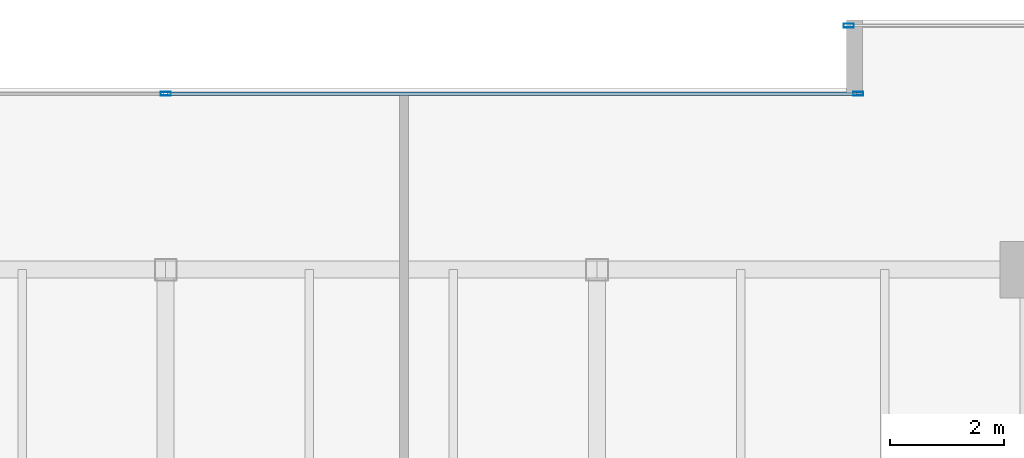
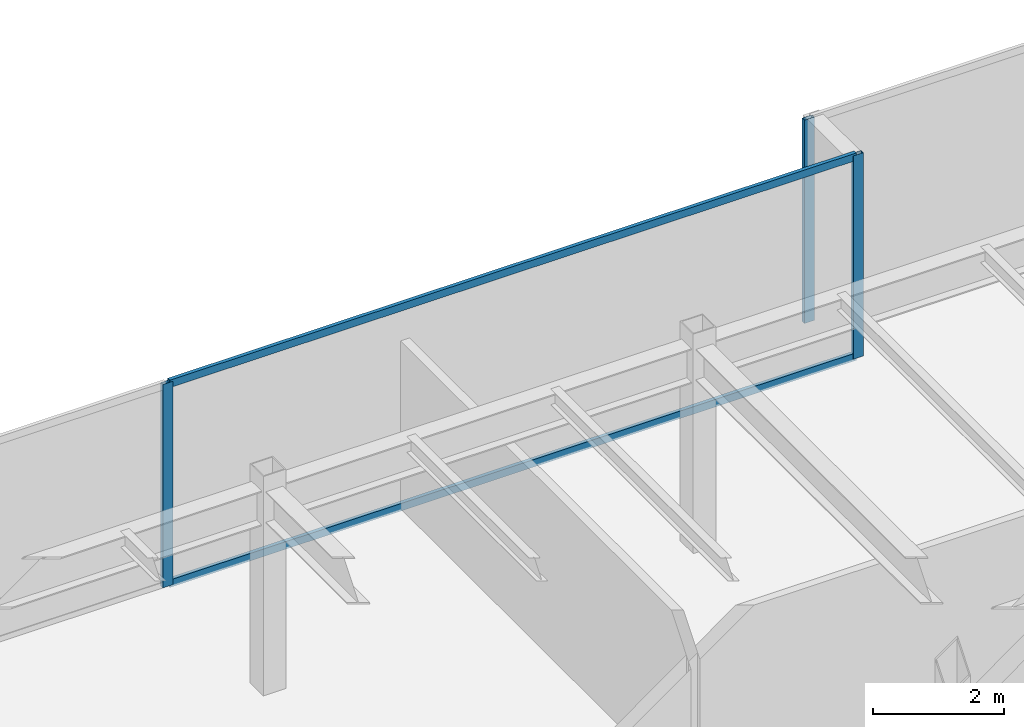
# One storey, part 19 of 33: 5 members, 2 elements without a shape of their own.
"""IFC4 building model written with IfcOpenShell, lengths in metres."""

from ifc_helpers import new_model, si_unit, direction, frame, origin, origin_2d, place, context, subcontext, project, spatial, hollow_rectangle, extrude, source, transform, mapped, material, layer, layer_set, material_profile, profile_set, type_object, type_shapes, element, aggregate, save


model = new_model("IFC4")

# Units and contexts
model_context = context("Model", 3, precision=1e-05, world=origin(), true_north=direction((0.0, 1.0)))
body_context = subcontext(model_context, "Body", "Model", "MODEL_VIEW")
ifc_project = project(units=[si_unit("LENGTHUNIT", "METRE"), si_unit("AREAUNIT", "SQUARE_METRE"), si_unit("VOLUMEUNIT", "CUBIC_METRE"), si_unit("PLANEANGLEUNIT", "RADIAN"), si_unit("MASSUNIT", "GRAM", prefix="KILO")], contexts=[model_context])

# Site, building, storey
site_placement = place(None, origin())
site = spatial("IfcSite", under=ifc_project, at=site_placement, CompositionType="ELEMENT")
building_placement = place(site_placement, origin())
building = spatial("IfcBuilding", under=site, at=building_placement, Name="Haelvirn Gate Laboratories", CompositionType="ELEMENT")
storey_placement = place(building_placement, frame((0.0, 0.0, 217.800048828125)))
storey = spatial("IfcBuildingStorey", under=building, at=storey_placement, Name="L52", CompositionType="ELEMENT", Elevation=217.800048828125)

# Curtain wall, members
ifc_material_1 = material(Name="Anodised bronze unitised aluminium & triple low-E glass", Category="aluminium")
ifc_layer = layer(ifc_material_1, 0.176025390625, Name="CW-SYS-4")
ifc_layer_set = layer_set([ifc_layer], Name="Anodised bronze unitised aluminium & triple low-E glass")
curtain_wall_type = type_object("IfcCurtainWallType", Name="CW-SYS-4", PredefinedType="NOTDEFINED", material=ifc_layer_set)
curtain_wall_1_placement = place(storey_placement, origin())
curtain_wall_1 = element("IfcCurtainWall", 1, at=curtain_wall_1_placement, inside=storey, type_object=curtain_wall_type, Name="L52 Unitised Curtain Wall CW-L52-P0-E12-1", PredefinedType="NOTDEFINED")
ifc_material_2 = material(Name="Extruded aluminium 6063-T6 (anodised bronze)", Category="aluminium")
ifc_material_profile_1 = material_profile(ifc_material_2, hollow_rectangle(XDim=0.06494140625, YDim=0.139892578125, WallThickness=0.00390625, at=origin_2d()), Name="CWT-140x65x4")
ifc_profile_set_1 = profile_set([ifc_material_profile_1], Name="Extruded aluminium 6063-T6 (anodised bronze)")
member_type_1 = type_object("IfcMemberType", Name="CWT-T140", PredefinedType="USERDEFINED", material=ifc_profile_set_1)
shared_shape_1 = source(origin(), body_context, "Body", "SweptSolid", [
    extrude(hollow_rectangle(XDim=0.06494140625, YDim=0.139892578125, WallThickness=0.00390625, at=origin_2d()), origin(), (0.0, 0.0, 1.0), 12.135009765625),
])
type_shapes(member_type_1, [shared_shape_1])
member_1_placement = place(storey_placement, frame((37.43505859375, 44.699951171875, 0.032470703125), z_axis=(1.0, 0.0, 0.0), x_axis=(0.0, 1.0, 0.0)))
member_1 = element("IfcMember", 2, at=member_1_placement, type_object=member_type_1, Name="CW4 transom 2.1", ObjectType="TRANSOM", PredefinedType="USERDEFINED", context=body_context, shape_type="MappedRepresentation", body=[
    mapped(shared_shape_1, transform((0.0, 0.0, 0.0), scale=1.0)),
])
member_2_placement = place(storey_placement, frame((37.43505859375, 44.699951171875, 3.767333984375), z_axis=(1.0, 0.0, 0.0), x_axis=(0.0, 1.0, 0.0)))
member_2 = element("IfcMember", 3, at=member_2_placement, type_object=member_type_1, Name="CW4 transom 2.2", ObjectType="TRANSOM", PredefinedType="USERDEFINED", context=body_context, shape_type="MappedRepresentation", body=[
    mapped(shared_shape_1, transform((0.0, 0.0, 0.0), scale=1.0)),
])

# Curtain wall, member
curtain_wall_2_placement = place(storey_placement, origin())
curtain_wall_2 = element("IfcCurtainWall", 4, at=curtain_wall_2_placement, inside=storey, type_object=curtain_wall_type, Name="L52 Unitised Curtain Wall CW-L52-P0-E10-1", PredefinedType="NOTDEFINED")
ifc_material_profile_2 = material_profile(ifc_material_2, hollow_rectangle(XDim=0.070068359375, YDim=0.179931640625, WallThickness=0.0048828125, at=origin_2d()), Name="CWM-180x70x5")
ifc_profile_set_2 = profile_set([ifc_material_profile_2], Name="Extruded aluminium 6063-T6 (anodised bronze)")
member_type_2 = type_object("IfcMemberType", Name="CWM-T180", PredefinedType="MULLION", material=ifc_profile_set_2)
shared_shape_2 = source(origin(), body_context, "Body", "SweptSolid", [
    extrude(hollow_rectangle(XDim=0.070068359375, YDim=0.179931640625, WallThickness=0.0048828125, at=origin_2d()), origin(), (0.0, 0.0, 1.0), 3.800048828125),
])
type_shapes(member_type_2, [shared_shape_2])
member_3_placement = place(storey_placement, frame((49.43505859375, 45.89990234375, 0.0), z_axis=(0.0, 0.0, 1.0), x_axis=(0.0, 1.0, 0.0)))
member_3 = element("IfcMember", 5, at=member_3_placement, type_object=member_type_2, Name="CW4 mullion 1", PredefinedType="MULLION", context=body_context, shape_type="MappedRepresentation", body=[
    mapped(shared_shape_2, transform((0.0, 0.0, 0.0), scale=1.0)),
])
aggregate(curtain_wall_2, [member_3])

# Member
member_4_placement = place(storey_placement, frame((37.39990234375, 44.699951171875, 0.0), z_axis=(0.0, 0.0, 1.0), x_axis=(0.0, 1.0, 0.0)))
member_4 = element("IfcMember", 6, at=member_4_placement, type_object=member_type_2, Name="CW4 mullion 2", PredefinedType="MULLION", context=body_context, shape_type="MappedRepresentation", body=[
    mapped(shared_shape_2, transform((0.0, 0.0, 0.0), scale=1.0)),
])

member_5_placement = place(storey_placement, frame((49.60498046875, 44.699951171875, 0.0), z_axis=(0.0, 0.0, 1.0), x_axis=(0.0, 1.0, 0.0)))
member_5 = element("IfcMember", 7, at=member_5_placement, type_object=member_type_2, Name="CW4 mullion 3", PredefinedType="MULLION", context=body_context, shape_type="MappedRepresentation", body=[
    mapped(shared_shape_2, transform((0.0, 0.0, 0.0), scale=1.0)),
])

aggregate(curtain_wall_1, [member_4, member_5, member_1, member_2])

save(model, "model.ifc")
